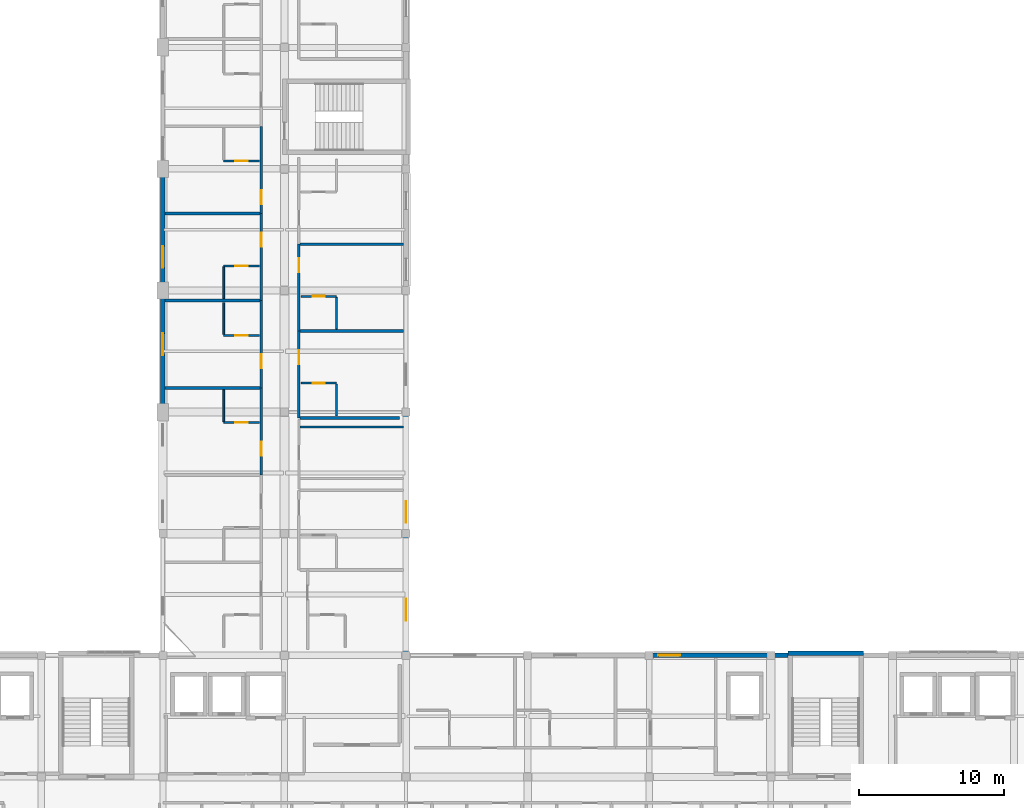
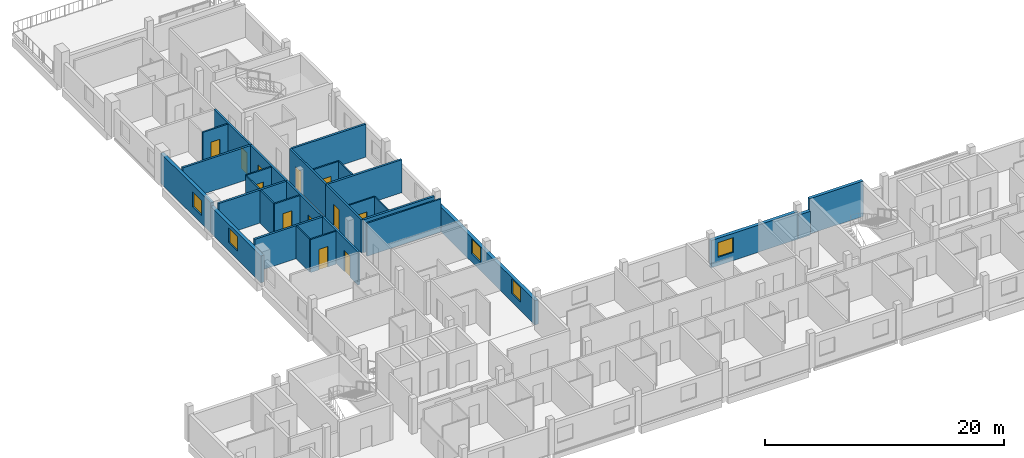
# One storey, part 16 of 26: 30 walls, 12 doors, 5 windows, 17 openings.
"""IFC4 building model written with IfcOpenShell, lengths in metres."""

from ifc_helpers import new_model, si_unit, derived_unit, direction, frame, frame_2d, origin, place, context, subcontext, project, spatial, rectangle, extrude, material, layer, layer_set, type_object, element, fill, save


model = new_model("IFC4")

# Units and contexts
model_context = context("Model", 3, precision=1e-05, world=origin(), true_north=direction((0.0, 1.0)))
body_context = subcontext(model_context, "Body", "Model", "MODEL_VIEW")
ifc_project = project(units=[si_unit("LENGTHUNIT", "METRE"), si_unit("AREAUNIT", "SQUARE_METRE"), si_unit("VOLUMEUNIT", "CUBIC_METRE"), si_unit("PLANEANGLEUNIT", "RADIAN"), si_unit("MASSUNIT", "GRAM", prefix="KILO"), derived_unit("THERMALTRANSMITTANCEUNIT", [(si_unit("POWERUNIT", "WATT"), 1), (si_unit("LENGTHUNIT", "METRE"), -2), (si_unit("THERMODYNAMICTEMPERATUREUNIT", "KELVIN"), -1)])], contexts=[model_context])

# Site, building, storey
site_placement = place(None, origin())
site = spatial("IfcSite", under=ifc_project, at=site_placement, CompositionType="ELEMENT")
building_placement = place(site_placement, origin())
building = spatial("IfcBuilding", under=site, at=building_placement, Name="Barrovel Congress Hotel", CompositionType="ELEMENT")
storey_placement = place(building_placement, frame((0.0, 0.0, 32.699951171875)))
storey = spatial("IfcBuildingStorey", under=building, at=storey_placement, Name="L08", CompositionType="ELEMENT", Elevation=32.699951171875)

# Wall, openings, windows
ifc_material_1 = material(Name="Fired Clay Brick Masonry", Category="masonry")
ifc_layer_1 = layer(ifc_material_1, 0.320068359375)
ifc_layer_set_1 = layer_set([ifc_layer_1], Name="Fired Clay Brick Masonry")
wall_type_1 = type_object("IfcWallType", Name="EW-BRK320", PredefinedType="STANDARD", material=ifc_layer_set_1)
wall_1_placement = place(storey_placement, frame((50.39990234375, 21.0, 0.0), z_axis=(0.0, 0.0, 1.0), x_axis=(0.0, 1.0, 0.0)))
wall_1 = element("IfcWall", 1, at=wall_1_placement, inside=storey, type_object=wall_type_1, Name="EW:L08:HW-E-1", PredefinedType="STANDARD", context=body_context, shape_type="SweptSolid", body=[
    extrude(rectangle(XDim=16.800048828125, YDim=0.320068359375, at=frame_2d((8.39990234375, 0.0))), origin(), (0.0, 0.0, 1.0), 2.47998046875),
])
opening_1_placement = place(wall_1_placement, frame((2.39990234375, 0.0, 0.85009765625)))
opening_1 = element("IfcOpeningElement", 2, at=opening_1_placement, cuts=wall_1, Name="Opening WN-07", PredefinedType="OPENING", context=body_context, shape_type="SweptSolid", body=[
    extrude(rectangle(XDim=1.5, YDim=1.5, at=frame_2d((0.75, 0.75))), frame((0.0, 0.169921875, 0.0), z_axis=(0.0, -1.0, 0.0), x_axis=(1.0, 0.0, 0.0)), (0.0, 0.0, 1.0), 0.340087890625),
])
opening_2_placement = place(wall_1_placement, frame((9.14990234375, 0.0, 0.85009765625)))
opening_2 = element("IfcOpeningElement", 3, at=opening_2_placement, cuts=wall_1, Name="Opening WN-07", PredefinedType="OPENING", context=body_context, shape_type="SweptSolid", body=[
    extrude(rectangle(XDim=1.5, YDim=1.5, at=frame_2d((0.75, 0.75))), frame((0.0, 0.169921875, 0.0), z_axis=(0.0, -1.0, 0.0), x_axis=(1.0, 0.0, 0.0)), (0.0, 0.0, 1.0), 0.340087890625),
])
ifc_material_2 = material(Name="Double Low-E Insulated Glazing", Category="glass")
window_type = type_object("IfcWindowType", Name="WIN-WN-07", PartitioningType="SINGLE_PANEL", PredefinedType="WINDOW", material=ifc_material_2)
window_1_placement = place(opening_1_placement, origin())
window_1 = element("IfcWindow", 4, at=window_1_placement, inside=storey, type_object=window_type, Name="WIN:L08:U33", OverallHeight=1.5, OverallWidth=1.5, PartitioningType="SINGLE_PANEL", PredefinedType="WINDOW", context=body_context, shape_type="SweptSolid", body=[
    extrude(rectangle(XDim=1.5, YDim=1.5, at=frame_2d((0.75, 0.75))), frame((0.0, 0.030029296875, 0.0), z_axis=(0.0, -1.0, 0.0), x_axis=(1.0, 0.0, 0.0)), (0.0, 0.0, 1.0), 0.06005859375),
])
fill(opening_1, window_1)
window_2_placement = place(opening_2_placement, origin())
window_2 = element("IfcWindow", 5, at=window_2_placement, inside=storey, type_object=window_type, Name="WIN:L08:U34", OverallHeight=1.5, OverallWidth=1.5, PartitioningType="SINGLE_PANEL", PredefinedType="WINDOW", context=body_context, shape_type="SweptSolid", body=[
    extrude(rectangle(XDim=1.5, YDim=1.5, at=frame_2d((0.75, 0.75))), frame((0.0, 0.030029296875, 0.0), z_axis=(0.0, -1.0, 0.0), x_axis=(1.0, 0.0, 0.0)), (0.0, 0.0, 1.0), 0.06005859375),
])
fill(opening_2, window_2)

# Wall
wall_2_placement = place(storey_placement, frame((76.800048828125, 21.0, 0.0), z_axis=(0.0, 0.0, 1.0), x_axis=(-1.0, 0.0, 0.0)))
element("IfcWall", 6, at=wall_2_placement, inside=storey, type_object=wall_type_1, Name="EW:L08:HS-NE-3:P01", PredefinedType="STANDARD", context=body_context, shape_type="SweptSolid", body=[
    extrude(rectangle(XDim=1.199951171875, YDim=0.320068359375, at=frame_2d((0.60009765625, 0.0))), origin(), (0.0, 0.0, 1.0), 2.429931640625),
])

# Wall, opening, window
wall_3_placement = place(storey_placement, frame((75.60009765625, 21.0, 0.0), z_axis=(0.0, 0.0, 1.0), x_axis=(-1.0, 0.0, 0.0)))
wall_3 = element("IfcWall", 7, at=wall_3_placement, inside=storey, type_object=wall_type_1, Name="EW:L08:HS-NE-3:P02", PredefinedType="STANDARD", context=body_context, shape_type="SweptSolid", body=[
    extrude(rectangle(XDim=8.400146484375, YDim=0.320068359375, at=frame_2d((4.2001953125, 0.0))), origin(), (0.0, 0.0, 1.0), 2.780029296875),
])
opening_3_placement = place(wall_3_placement, frame((6.2666015625, 0.0, 0.85009765625)))
opening_3 = element("IfcOpeningElement", 8, at=opening_3_placement, cuts=wall_3, Name="Opening WN-07", PredefinedType="OPENING", context=body_context, shape_type="SweptSolid", body=[
    extrude(rectangle(XDim=1.5, YDim=1.5, at=frame_2d((0.75, 0.75))), frame((0.0, 0.169921875, 0.0), z_axis=(0.0, -1.0, 0.0), x_axis=(1.0, 0.0, 0.0)), (0.0, 0.0, 1.0), 0.340087890625),
])
window_3_placement = place(opening_3_placement, origin())
window_3 = element("IfcWindow", 9, at=window_3_placement, inside=storey, type_object=window_type, Name="WIN:L08:U19", OverallHeight=1.5, OverallWidth=1.5, PartitioningType="SINGLE_PANEL", PredefinedType="WINDOW", context=body_context, shape_type="SweptSolid", body=[
    extrude(rectangle(XDim=1.5, YDim=1.5, at=frame_2d((0.75, 0.75))), frame((0.0, 0.030029296875, 0.0), z_axis=(0.0, -1.0, 0.0), x_axis=(1.0, 0.0, 0.0)), (0.0, 0.0, 1.0), 0.06005859375),
])
fill(opening_3, window_3)

wall_4_placement = place(storey_placement, frame((33.60009765625, 54.60009765625, 0.0), z_axis=(0.0, 0.0, 1.0), x_axis=(0.0, -1.0, 0.0)))
wall_4 = element("IfcWall", 10, at=wall_4_placement, inside=storey, type_object=wall_type_1, Name="EW:L08:HW-W:P03", PredefinedType="STANDARD", context=body_context, shape_type="SweptSolid", body=[
    extrude(rectangle(XDim=8.400146484375, YDim=0.320068359375, at=frame_2d((4.2001953125, 0.0))), origin(), (0.0, 0.0, 1.0), 3.0751953125),
])
opening_4_placement = place(wall_4_placement, frame((5.33740234375, 0.0, 0.85009765625)))
opening_4 = element("IfcOpeningElement", 11, at=opening_4_placement, cuts=wall_4, Name="Opening WN-07", PredefinedType="OPENING", context=body_context, shape_type="SweptSolid", body=[
    extrude(rectangle(XDim=1.5, YDim=1.5, at=frame_2d((0.75, 0.75))), frame((0.0, 0.169921875, 0.0), z_axis=(0.0, -1.0, 0.0), x_axis=(1.0, 0.0, 0.0)), (0.0, 0.0, 1.0), 0.340087890625),
])
window_4_placement = place(opening_4_placement, origin())
window_4 = element("IfcWindow", 12, at=window_4_placement, inside=storey, type_object=window_type, Name="WIN:L08:U29", OverallHeight=1.5, OverallWidth=1.5, PartitioningType="SINGLE_PANEL", PredefinedType="WINDOW", context=body_context, shape_type="SweptSolid", body=[
    extrude(rectangle(XDim=1.5, YDim=1.5, at=frame_2d((0.75, 0.75))), frame((0.0, 0.030029296875, 0.0), z_axis=(0.0, -1.0, 0.0), x_axis=(1.0, 0.0, 0.0)), (0.0, 0.0, 1.0), 0.06005859375),
])
fill(opening_4, window_4)

wall_5_placement = place(storey_placement, frame((33.60009765625, 46.199951171875, 0.0), z_axis=(0.0, 0.0, 1.0), x_axis=(0.0, -1.0, 0.0)))
wall_5 = element("IfcWall", 13, at=wall_5_placement, inside=storey, type_object=wall_type_1, Name="EW:L08:HW-W:P04", PredefinedType="STANDARD", context=body_context, shape_type="SweptSolid", body=[
    extrude(rectangle(XDim=8.39990234375, YDim=0.320068359375, at=frame_2d((4.199951171875, 0.0))), origin(), (0.0, 0.0, 1.0), 2.72998046875),
])
opening_5_placement = place(wall_5_placement, frame((2.96240234375, 0.0, 0.85009765625)))
opening_5 = element("IfcOpeningElement", 14, at=opening_5_placement, cuts=wall_5, Name="Opening WN-07", PredefinedType="OPENING", context=body_context, shape_type="SweptSolid", body=[
    extrude(rectangle(XDim=1.5, YDim=1.5, at=frame_2d((0.75, 0.75))), frame((0.0, 0.169921875, 0.0), z_axis=(0.0, -1.0, 0.0), x_axis=(1.0, 0.0, 0.0)), (0.0, 0.0, 1.0), 0.340087890625),
])
window_5_placement = place(opening_5_placement, origin())
window_5 = element("IfcWindow", 15, at=window_5_placement, inside=storey, type_object=window_type, Name="WIN:L08:U28", OverallHeight=1.5, OverallWidth=1.5, PartitioningType="SINGLE_PANEL", PredefinedType="WINDOW", context=body_context, shape_type="SweptSolid", body=[
    extrude(rectangle(XDim=1.5, YDim=1.5, at=frame_2d((0.75, 0.75))), frame((0.0, 0.030029296875, 0.0), z_axis=(0.0, -1.0, 0.0), x_axis=(1.0, 0.0, 0.0)), (0.0, 0.0, 1.0), 0.06005859375),
])
fill(opening_5, window_5)

# Wall, opening, door
ifc_material_3 = material(Name="Gypsum Acoustic Stud", Category="gypsum")
ifc_layer_2 = layer(ifc_material_3, 0.179931640625)
ifc_layer_set_2 = layer_set([ifc_layer_2], Name="Gypsum Acoustic Stud")
wall_type_2 = type_object("IfcWallType", Name="PW-ACU-180", PredefinedType="PARTITIONING", material=ifc_layer_set_2)
wall_6_placement = place(storey_placement, frame((40.39990234375, 33.449951171875, 0.0), z_axis=(0.0, 0.0, 1.0), x_axis=(0.0, 1.0, 0.0)))
wall_6 = element("IfcWall", 16, at=wall_6_placement, inside=storey, type_object=wall_type_2, Name="PW:L08:U27:COR", PredefinedType="PARTITIONING", context=body_context, shape_type="SweptSolid", body=[
    extrude(rectangle(XDim=6.025146484375, YDim=0.179931640625, at=frame_2d((3.0126953125, 0.0))), origin(), (0.0, 0.0, 1.0), 3.375),
])
opening_6_placement = place(wall_6_placement, frame((1.347412109375, 0.0, 0.0)))
opening_6 = element("IfcOpeningElement", 17, at=opening_6_placement, cuts=wall_6, Name="Opening ID-HTL", PredefinedType="OPENING", context=body_context, shape_type="SweptSolid", body=[
    extrude(rectangle(XDim=0.9599609375, YDim=2.14990234375, at=frame_2d((0.47998046875, 1.074951171875))), frame((0.0, 0.10009765625, 0.0), z_axis=(0.0, -1.0, 0.0), x_axis=(1.0, 0.0, 0.0)), (0.0, 0.0, 1.0), 0.199951171875),
])
ifc_material_4 = material(Name="Solid Oak Acoustic Timber Door", Category="wood")
door_type_1 = type_object("IfcDoorType", Name="IDR-ID-HTL", OperationType="NOTDEFINED", PredefinedType="DOOR", material=ifc_material_4)
door_1_placement = place(opening_6_placement, origin())
door_1 = element("IfcDoor", 18, at=door_1_placement, inside=storey, type_object=door_type_1, Name="DR:L08:U27:ENT", OperationType="SINGLE_SWING_RIGHT", OverallHeight=2.14990234375, OverallWidth=0.9599609375, PredefinedType="DOOR", context=body_context, shape_type="SweptSolid", body=[
    extrude(rectangle(XDim=0.9599609375, YDim=2.14990234375, at=frame_2d((0.47998046875, 1.074951171875))), frame((0.0, 0.02490234375, 0.0), z_axis=(0.0, -1.0, 0.0), x_axis=(1.0, 0.0, 0.0)), (0.0, 0.0, 1.0), 0.050048828125),
])
fill(opening_6, door_1)

wall_7_placement = place(storey_placement, frame((40.39990234375, 39.47509765625, 0.0), z_axis=(0.0, 0.0, 1.0), x_axis=(0.0, 1.0, 0.0)))
wall_7 = element("IfcWall", 19, at=wall_7_placement, inside=storey, type_object=wall_type_2, Name="PW:L08:U28:COR", PredefinedType="PARTITIONING", context=body_context, shape_type="SweptSolid", body=[
    extrude(rectangle(XDim=6.02490234375, YDim=0.179931640625, at=frame_2d((3.012451171875, 0.0))), origin(), (0.0, 0.0, 1.0), 3.375),
])
opening_7_placement = place(wall_7_placement, frame((1.347412109375, 0.0, 0.0)))
opening_7 = element("IfcOpeningElement", 20, at=opening_7_placement, cuts=wall_7, Name="Opening ID-HTL", PredefinedType="OPENING", context=body_context, shape_type="SweptSolid", body=[
    extrude(rectangle(XDim=0.9599609375, YDim=2.14990234375, at=frame_2d((0.47998046875, 1.074951171875))), frame((0.0, 0.10009765625, 0.0), z_axis=(0.0, -1.0, 0.0), x_axis=(1.0, 0.0, 0.0)), (0.0, 0.0, 1.0), 0.199951171875),
])
door_2_placement = place(opening_7_placement, origin())
door_2 = element("IfcDoor", 21, at=door_2_placement, inside=storey, type_object=door_type_1, Name="DR:L08:U28:ENT", OperationType="SINGLE_SWING_RIGHT", OverallHeight=2.14990234375, OverallWidth=0.9599609375, PredefinedType="DOOR", context=body_context, shape_type="SweptSolid", body=[
    extrude(rectangle(XDim=0.9599609375, YDim=2.14990234375, at=frame_2d((0.47998046875, 1.074951171875))), frame((0.0, 0.02490234375, 0.0), z_axis=(0.0, -1.0, 0.0), x_axis=(1.0, 0.0, 0.0)), (0.0, 0.0, 1.0), 0.050048828125),
])
fill(opening_7, door_2)

wall_8_placement = place(storey_placement, frame((40.39990234375, 45.5, 0.0), z_axis=(0.0, 0.0, 1.0), x_axis=(0.0, 1.0, 0.0)))
wall_8 = element("IfcWall", 22, at=wall_8_placement, inside=storey, type_object=wall_type_2, Name="PW:L08:U29:COR", PredefinedType="PARTITIONING", context=body_context, shape_type="SweptSolid", body=[
    extrude(rectangle(XDim=6.02490234375, YDim=0.179931640625, at=frame_2d((3.012451171875, 0.0))), origin(), (0.0, 0.0, 1.0), 3.375),
])
opening_8_placement = place(wall_8_placement, frame((3.717529296875, 0.0, 0.0)))
opening_8 = element("IfcOpeningElement", 23, at=opening_8_placement, cuts=wall_8, Name="Opening ID-HTL", PredefinedType="OPENING", context=body_context, shape_type="SweptSolid", body=[
    extrude(rectangle(XDim=0.9599609375, YDim=2.14990234375, at=frame_2d((0.47998046875, 1.074951171875))), frame((0.0, 0.10009765625, 0.0), z_axis=(0.0, -1.0, 0.0), x_axis=(1.0, 0.0, 0.0)), (0.0, 0.0, 1.0), 0.199951171875),
])
door_3_placement = place(opening_8_placement, origin())
door_3 = element("IfcDoor", 24, at=door_3_placement, inside=storey, type_object=door_type_1, Name="DR:L08:U29:ENT", OperationType="SINGLE_SWING_RIGHT", OverallHeight=2.14990234375, OverallWidth=0.9599609375, PredefinedType="DOOR", context=body_context, shape_type="SweptSolid", body=[
    extrude(rectangle(XDim=0.9599609375, YDim=2.14990234375, at=frame_2d((0.47998046875, 1.074951171875))), frame((0.0, 0.02490234375, 0.0), z_axis=(0.0, -1.0, 0.0), x_axis=(1.0, 0.0, 0.0)), (0.0, 0.0, 1.0), 0.050048828125),
])
fill(opening_8, door_3)

wall_9_placement = place(storey_placement, frame((40.39990234375, 51.52490234375, 0.0), z_axis=(0.0, 0.0, 1.0), x_axis=(0.0, 1.0, 0.0)))
wall_9 = element("IfcWall", 25, at=wall_9_placement, inside=storey, type_object=wall_type_2, Name="PW:L08:U30:COR", PredefinedType="PARTITIONING", context=body_context, shape_type="SweptSolid", body=[
    extrude(rectangle(XDim=6.025146484375, YDim=0.179931640625, at=frame_2d((3.0126953125, 0.0))), origin(), (0.0, 0.0, 1.0), 3.375),
])
opening_9_placement = place(wall_9_placement, frame((0.6474609375, 0.0, 0.0)))
opening_9 = element("IfcOpeningElement", 26, at=opening_9_placement, cuts=wall_9, Name="Opening ID-HTL", PredefinedType="OPENING", context=body_context, shape_type="SweptSolid", body=[
    extrude(rectangle(XDim=0.9599609375, YDim=2.14990234375, at=frame_2d((0.47998046875, 1.074951171875))), frame((0.0, 0.10009765625, 0.0), z_axis=(0.0, -1.0, 0.0), x_axis=(1.0, 0.0, 0.0)), (0.0, 0.0, 1.0), 0.199951171875),
])
door_4_placement = place(opening_9_placement, origin())
door_4 = element("IfcDoor", 27, at=door_4_placement, inside=storey, type_object=door_type_1, Name="DR:L08:U30:ENT", OperationType="SINGLE_SWING_RIGHT", OverallHeight=2.14990234375, OverallWidth=0.9599609375, PredefinedType="DOOR", context=body_context, shape_type="SweptSolid", body=[
    extrude(rectangle(XDim=0.9599609375, YDim=2.14990234375, at=frame_2d((0.47998046875, 1.074951171875))), frame((0.0, 0.02490234375, 0.0), z_axis=(0.0, -1.0, 0.0), x_axis=(1.0, 0.0, 0.0)), (0.0, 0.0, 1.0), 0.050048828125),
])
fill(opening_9, door_4)

wall_10_placement = place(storey_placement, frame((43.0, 37.39990234375, 0.0), z_axis=(0.0, 0.0, 1.0), x_axis=(0.0, 1.0, 0.0)))
wall_10 = element("IfcWall", 28, at=wall_10_placement, inside=storey, type_object=wall_type_2, Name="PW:L08:U35:COR", PredefinedType="PARTITIONING", context=body_context, shape_type="SweptSolid", body=[
    extrude(rectangle(XDim=6.0, YDim=0.179931640625, at=frame_2d((3.0, 0.0))), origin(), (0.0, 0.0, 1.0), 3.375),
])
opening_10_placement = place(wall_10_placement, frame((3.705078125, 0.0, 0.0)))
opening_10 = element("IfcOpeningElement", 29, at=opening_10_placement, cuts=wall_10, Name="Opening ID-HTL", PredefinedType="OPENING", context=body_context, shape_type="SweptSolid", body=[
    extrude(rectangle(XDim=0.9599609375, YDim=2.14990234375, at=frame_2d((0.47998046875, 1.074951171875))), frame((0.0, 0.10009765625, 0.0), z_axis=(0.0, -1.0, 0.0), x_axis=(1.0, 0.0, 0.0)), (0.0, 0.0, 1.0), 0.199951171875),
])
door_5_placement = place(opening_10_placement, origin())
door_5 = element("IfcDoor", 30, at=door_5_placement, inside=storey, type_object=door_type_1, Name="DR:L08:U35:ENT", OperationType="SINGLE_SWING_RIGHT", OverallHeight=2.14990234375, OverallWidth=0.9599609375, PredefinedType="DOOR", context=body_context, shape_type="SweptSolid", body=[
    extrude(rectangle(XDim=0.9599609375, YDim=2.14990234375, at=frame_2d((0.47998046875, 1.074951171875))), frame((0.0, 0.02490234375, 0.0), z_axis=(0.0, -1.0, 0.0), x_axis=(1.0, 0.0, 0.0)), (0.0, 0.0, 1.0), 0.050048828125),
])
fill(opening_10, door_5)

wall_11_placement = place(storey_placement, frame((43.0, 43.39990234375, 0.0), z_axis=(0.0, 0.0, 1.0), x_axis=(0.0, 1.0, 0.0)))
wall_11 = element("IfcWall", 31, at=wall_11_placement, inside=storey, type_object=wall_type_2, Name="PW:L08:U36:COR", PredefinedType="PARTITIONING", context=body_context, shape_type="SweptSolid", body=[
    extrude(rectangle(XDim=6.0, YDim=0.179931640625, at=frame_2d((3.0, 0.0))), origin(), (0.0, 0.0, 1.0), 3.375),
])
opening_11_placement = place(wall_11_placement, frame((4.054931640625, 0.0, 0.0)))
opening_11 = element("IfcOpeningElement", 32, at=opening_11_placement, cuts=wall_11, Name="Opening ID-HTL", PredefinedType="OPENING", context=body_context, shape_type="SweptSolid", body=[
    extrude(rectangle(XDim=0.9599609375, YDim=2.14990234375, at=frame_2d((0.47998046875, 1.074951171875))), frame((0.0, 0.10009765625, 0.0), z_axis=(0.0, -1.0, 0.0), x_axis=(1.0, 0.0, 0.0)), (0.0, 0.0, 1.0), 0.199951171875),
])
door_6_placement = place(opening_11_placement, origin())
door_6 = element("IfcDoor", 33, at=door_6_placement, inside=storey, type_object=door_type_1, Name="DR:L08:U36:ENT", OperationType="SINGLE_SWING_RIGHT", OverallHeight=2.14990234375, OverallWidth=0.9599609375, PredefinedType="DOOR", context=body_context, shape_type="SweptSolid", body=[
    extrude(rectangle(XDim=0.9599609375, YDim=2.14990234375, at=frame_2d((0.47998046875, 1.074951171875))), frame((0.0, 0.02490234375, 0.0), z_axis=(0.0, -1.0, 0.0), x_axis=(1.0, 0.0, 0.0)), (0.0, 0.0, 1.0), 0.050048828125),
])
fill(opening_11, door_6)

# Walls
ifc_layer_3 = layer(ifc_material_3, 0.1201171875)
ifc_layer_set_3 = layer_set([ifc_layer_3], Name="Gypsum Acoustic Stud")
wall_type_3 = type_object("IfcWallType", Name="PW-INT-120", PredefinedType="PARTITIONING", material=ifc_layer_set_3)
wall_12_placement = place(storey_placement, frame((37.800048828125, 37.14501953125, 0.0), z_axis=(0.0, 0.0, 1.0), x_axis=(0.0, 1.0, 0.0)))
element("IfcWall", 34, at=wall_12_placement, inside=storey, type_object=wall_type_3, Name="PW:L08:U27:B2", PredefinedType="PARTITIONING", context=body_context, shape_type="SweptSolid", body=[
    extrude(rectangle(XDim=2.18994140625, YDim=0.1201171875, at=frame_2d((1.094970703125, 0.0))), origin(), (0.0, 0.0, 1.0), 3.375),
])
for number, where, z_axis, x_axis, name in (
    (35, (37.800048828125, 43.169921875, 0.0), (0.0, 0.0, 1.0), (0.0, 1.0, 0.0), "PW:L08:U28:B2"),
    (36, (37.800048828125, 45.639892578125, 0.0), (0.0, 0.0, 1.0), (0.0, 1.0, 0.0), "PW:L08:U29:B2"),
):
    element("IfcWall", number, at=place(storey_placement, frame(where, z_axis=z_axis, x_axis=x_axis)), inside=storey, type_object=wall_type_3, Name=name, PredefinedType="PARTITIONING", context=body_context, shape_type="SweptSolid", body=[
        extrude(rectangle(XDim=2.190185546875, YDim=0.1201171875, at=frame_2d((1.09521484375, 0.0))), origin(), (0.0, 0.0, 1.0), 3.375),
    ])
for number, where, z_axis, x_axis, name in (
    (37, (45.60009765625, 37.5400390625, 0.0), (0.0, 0.0, 1.0), (0.0, 1.0, 0.0), "PW:L08:U35:B2"),
    (38, (45.60009765625, 43.5400390625, 0.0), (0.0, 0.0, 1.0), (0.0, 1.0, 0.0), "PW:L08:U36:B2"),
):
    element("IfcWall", number, at=place(storey_placement, frame(where, z_axis=z_axis, x_axis=x_axis)), inside=storey, type_object=wall_type_3, Name=name, PredefinedType="PARTITIONING", context=body_context, shape_type="SweptSolid", body=[
        extrude(rectangle(XDim=2.18994140625, YDim=0.1201171875, at=frame_2d((1.094970703125, 0.0))), origin(), (0.0, 0.0, 1.0), 3.375),
    ])
ifc_layer_4 = layer(ifc_material_1, 0.199951171875)
ifc_layer_set_4 = layer_set([ifc_layer_4], Name="Fired Clay Brick Masonry")
wall_type_4 = type_object("IfcWallType", Name="PW-MAS-200", PredefinedType="PARTITIONING", material=ifc_layer_set_4)
for number, where, z_axis, x_axis, name in (
    (39, (33.760009765625, 39.47509765625, 0.0), (0.0, 0.0, 1.0), (1.0, 0.0, 0.0), "PW:L08:U27:DEM"),
    (40, (33.760009765625, 45.5, 0.0), (0.0, 0.0, 1.0), (1.0, 0.0, 0.0), "PW:L08:U28:DEM"),
    (41, (33.760009765625, 51.52490234375, 0.0), (0.0, 0.0, 1.0), (1.0, 0.0, 0.0), "PW:L08:U29:DEM"),
):
    element("IfcWall", number, at=place(storey_placement, frame(where, z_axis=z_axis, x_axis=x_axis)), inside=storey, type_object=wall_type_4, Name=name, PredefinedType="PARTITIONING", context=body_context, shape_type="SweptSolid", body=[
        extrude(rectangle(XDim=6.550048828125, YDim=0.199951171875, at=frame_2d((3.27490234375, 0.0))), origin(), (0.0, 0.0, 1.0), 3.375),
    ])
wall_13_placement = place(storey_placement, frame((43.090087890625, 37.39990234375, 0.0), z_axis=(0.0, 0.0, 1.0), x_axis=(1.0, 0.0, 0.0)))
element("IfcWall", 42, at=wall_13_placement, inside=storey, type_object=wall_type_4, Name="PW:L08:U35:DEM0", PredefinedType="PARTITIONING", context=body_context, shape_type="SweptSolid", body=[
    extrude(rectangle(XDim=6.85986328125, YDim=0.199951171875, at=frame_2d((3.429931640625, 0.0))), origin(), (0.0, 0.0, 1.0), 3.375),
])
for number, where, z_axis, x_axis, name in (
    (43, (43.090087890625, 43.39990234375, 0.0), (0.0, 0.0, 1.0), (1.0, 0.0, 0.0), "PW:L08:U35:DEM"),
    (44, (43.090087890625, 49.39990234375, 0.0), (0.0, 0.0, 1.0), (1.0, 0.0, 0.0), "PW:L08:U36:DEM"),
):
    element("IfcWall", number, at=place(storey_placement, frame(where, z_axis=z_axis, x_axis=x_axis)), inside=storey, type_object=wall_type_4, Name=name, PredefinedType="PARTITIONING", context=body_context, shape_type="SweptSolid", body=[
        extrude(rectangle(XDim=7.14990234375, YDim=0.199951171875, at=frame_2d((3.574951171875, 0.0))), origin(), (0.0, 0.0, 1.0), 3.375),
    ])

# Wall, opening, door
ifc_material_5 = material(Name="Gypsum Moisture Board", Category="gypsum")
ifc_layer_5 = layer(ifc_material_5, 0.139892578125)
ifc_layer_set_5 = layer_set([ifc_layer_5], Name="Gypsum Moisture Board")
wall_type_5 = type_object("IfcWallType", Name="PW-WET-140", PredefinedType="PARTITIONING", material=ifc_layer_set_5)
wall_14_placement = place(storey_placement, frame((37.800048828125, 37.074951171875, 0.0), z_axis=(0.0, 0.0, 1.0), x_axis=(1.0, 0.0, 0.0)))
wall_14 = element("IfcWall", 45, at=wall_14_placement, inside=storey, type_object=wall_type_5, Name="PW:L08:U27:B1", PredefinedType="PARTITIONING", context=body_context, shape_type="SweptSolid", body=[
    extrude(rectangle(XDim=2.4599609375, YDim=0.139892578125, at=frame_2d((1.22998046875, 0.0))), origin(), (0.0, 0.0, 1.0), 3.375),
])
opening_12_placement = place(wall_14_placement, frame((0.800048828125, 0.0, 0.0)))
opening_12 = element("IfcOpeningElement", 46, at=opening_12_placement, cuts=wall_14, Name="Opening ID-ENS", PredefinedType="OPENING", context=body_context, shape_type="SweptSolid", body=[
    extrude(rectangle(XDim=0.860107421875, YDim=2.10009765625, at=frame_2d((0.43017578125, 1.050048828125))), frame((0.0, 0.080078125, 0.0), z_axis=(0.0, -1.0, 0.0), x_axis=(1.0, 0.0, 0.0)), (0.0, 0.0, 1.0), 0.159912109375),
])
ifc_material_6 = material(Name="Lacquered Timber Moisture Door", Category="wood")
door_type_2 = type_object("IfcDoorType", Name="IDR-ID-ENS", OperationType="NOTDEFINED", PredefinedType="DOOR", material=ifc_material_6)
door_7_placement = place(opening_12_placement, origin())
door_7 = element("IfcDoor", 47, at=door_7_placement, inside=storey, type_object=door_type_2, Name="DR:L08:U27:ENS", OperationType="SINGLE_SWING_LEFT", OverallHeight=2.10009765625, OverallWidth=0.860107421875, PredefinedType="DOOR", context=body_context, shape_type="SweptSolid", body=[
    extrude(rectangle(XDim=0.860107421875, YDim=2.10009765625, at=frame_2d((0.43017578125, 1.050048828125))), frame((0.0, 0.02490234375, 0.0), z_axis=(0.0, -1.0, 0.0), x_axis=(1.0, 0.0, 0.0)), (0.0, 0.0, 1.0), 0.050048828125),
])
fill(opening_12, door_7)

wall_15_placement = place(storey_placement, frame((37.800048828125, 43.10009765625, 0.0), z_axis=(0.0, 0.0, 1.0), x_axis=(1.0, 0.0, 0.0)))
wall_15 = element("IfcWall", 48, at=wall_15_placement, inside=storey, type_object=wall_type_5, Name="PW:L08:U28:B1", PredefinedType="PARTITIONING", context=body_context, shape_type="SweptSolid", body=[
    extrude(rectangle(XDim=2.4599609375, YDim=0.139892578125, at=frame_2d((1.22998046875, 0.0))), origin(), (0.0, 0.0, 1.0), 3.375),
])
opening_13_placement = place(wall_15_placement, frame((0.800048828125, 0.0, 0.0)))
opening_13 = element("IfcOpeningElement", 49, at=opening_13_placement, cuts=wall_15, Name="Opening ID-ENS", PredefinedType="OPENING", context=body_context, shape_type="SweptSolid", body=[
    extrude(rectangle(XDim=0.860107421875, YDim=2.10009765625, at=frame_2d((0.43017578125, 1.050048828125))), frame((0.0, 0.080078125, 0.0), z_axis=(0.0, -1.0, 0.0), x_axis=(1.0, 0.0, 0.0)), (0.0, 0.0, 1.0), 0.159912109375),
])
door_8_placement = place(opening_13_placement, origin())
door_8 = element("IfcDoor", 50, at=door_8_placement, inside=storey, type_object=door_type_2, Name="DR:L08:U28:ENS", OperationType="SINGLE_SWING_LEFT", OverallHeight=2.10009765625, OverallWidth=0.860107421875, PredefinedType="DOOR", context=body_context, shape_type="SweptSolid", body=[
    extrude(rectangle(XDim=0.860107421875, YDim=2.10009765625, at=frame_2d((0.43017578125, 1.050048828125))), frame((0.0, 0.02490234375, 0.0), z_axis=(0.0, -1.0, 0.0), x_axis=(1.0, 0.0, 0.0)), (0.0, 0.0, 1.0), 0.050048828125),
])
fill(opening_13, door_8)

wall_16_placement = place(storey_placement, frame((37.800048828125, 47.89990234375, 0.0), z_axis=(0.0, 0.0, 1.0), x_axis=(1.0, 0.0, 0.0)))
wall_16 = element("IfcWall", 51, at=wall_16_placement, inside=storey, type_object=wall_type_5, Name="PW:L08:U29:B1", PredefinedType="PARTITIONING", context=body_context, shape_type="SweptSolid", body=[
    extrude(rectangle(XDim=2.4599609375, YDim=0.139892578125, at=frame_2d((1.22998046875, 0.0))), origin(), (0.0, 0.0, 1.0), 3.375),
])
opening_14_placement = place(wall_16_placement, frame((0.800048828125, 0.0, 0.0)))
opening_14 = element("IfcOpeningElement", 52, at=opening_14_placement, cuts=wall_16, Name="Opening ID-ENS", PredefinedType="OPENING", context=body_context, shape_type="SweptSolid", body=[
    extrude(rectangle(XDim=0.860107421875, YDim=2.10009765625, at=frame_2d((0.43017578125, 1.050048828125))), frame((0.0, 0.080078125, 0.0), z_axis=(0.0, -1.0, 0.0), x_axis=(1.0, 0.0, 0.0)), (0.0, 0.0, 1.0), 0.159912109375),
])
door_9_placement = place(opening_14_placement, origin())
door_9 = element("IfcDoor", 53, at=door_9_placement, inside=storey, type_object=door_type_2, Name="DR:L08:U29:ENS", OperationType="SINGLE_SWING_LEFT", OverallHeight=2.10009765625, OverallWidth=0.860107421875, PredefinedType="DOOR", context=body_context, shape_type="SweptSolid", body=[
    extrude(rectangle(XDim=0.860107421875, YDim=2.10009765625, at=frame_2d((0.43017578125, 1.050048828125))), frame((0.0, 0.02490234375, 0.0), z_axis=(0.0, -1.0, 0.0), x_axis=(1.0, 0.0, 0.0)), (0.0, 0.0, 1.0), 0.050048828125),
])
fill(opening_14, door_9)

wall_17_placement = place(storey_placement, frame((37.800048828125, 55.14990234375, 0.0), z_axis=(0.0, 0.0, 1.0), x_axis=(1.0, 0.0, 0.0)))
wall_17 = element("IfcWall", 54, at=wall_17_placement, inside=storey, type_object=wall_type_5, Name="PW:L08:U30:B1", PredefinedType="PARTITIONING", context=body_context, shape_type="SweptSolid", body=[
    extrude(rectangle(XDim=2.4599609375, YDim=0.139892578125, at=frame_2d((1.22998046875, 0.0))), origin(), (0.0, 0.0, 1.0), 3.375),
])
opening_15_placement = place(wall_17_placement, frame((0.800048828125, 0.0, 0.0)))
opening_15 = element("IfcOpeningElement", 55, at=opening_15_placement, cuts=wall_17, Name="Opening ID-ENS", PredefinedType="OPENING", context=body_context, shape_type="SweptSolid", body=[
    extrude(rectangle(XDim=0.860107421875, YDim=2.10009765625, at=frame_2d((0.43017578125, 1.050048828125))), frame((0.0, 0.080078125, 0.0), z_axis=(0.0, -1.0, 0.0), x_axis=(1.0, 0.0, 0.0)), (0.0, 0.0, 1.0), 0.159912109375),
])
door_10_placement = place(opening_15_placement, origin())
door_10 = element("IfcDoor", 56, at=door_10_placement, inside=storey, type_object=door_type_2, Name="DR:L08:U30:ENS", OperationType="SINGLE_SWING_LEFT", OverallHeight=2.10009765625, OverallWidth=0.860107421875, PredefinedType="DOOR", context=body_context, shape_type="SweptSolid", body=[
    extrude(rectangle(XDim=0.860107421875, YDim=2.10009765625, at=frame_2d((0.43017578125, 1.050048828125))), frame((0.0, 0.02490234375, 0.0), z_axis=(0.0, -1.0, 0.0), x_axis=(1.0, 0.0, 0.0)), (0.0, 0.0, 1.0), 0.050048828125),
])
fill(opening_15, door_10)

wall_18_placement = place(storey_placement, frame((43.139892578125, 39.800048828125, 0.0), z_axis=(0.0, 0.0, 1.0), x_axis=(1.0, 0.0, 0.0)))
wall_18 = element("IfcWall", 57, at=wall_18_placement, inside=storey, type_object=wall_type_5, Name="PW:L08:U35:B1", PredefinedType="PARTITIONING", context=body_context, shape_type="SweptSolid", body=[
    extrude(rectangle(XDim=2.460205078125, YDim=0.139892578125, at=frame_2d((1.22998046875, 0.0))), origin(), (0.0, 0.0, 1.0), 3.375),
])
opening_16_placement = place(wall_18_placement, frame((0.800048828125, 0.0, 0.0)))
opening_16 = element("IfcOpeningElement", 58, at=opening_16_placement, cuts=wall_18, Name="Opening ID-ENS", PredefinedType="OPENING", context=body_context, shape_type="SweptSolid", body=[
    extrude(rectangle(XDim=0.860107421875, YDim=2.10009765625, at=frame_2d((0.43017578125, 1.050048828125))), frame((0.0, 0.080078125, 0.0), z_axis=(0.0, -1.0, 0.0), x_axis=(1.0, 0.0, 0.0)), (0.0, 0.0, 1.0), 0.159912109375),
])
door_11_placement = place(opening_16_placement, origin())
door_11 = element("IfcDoor", 59, at=door_11_placement, inside=storey, type_object=door_type_2, Name="DR:L08:U35:ENS", OperationType="SINGLE_SWING_LEFT", OverallHeight=2.10009765625, OverallWidth=0.860107421875, PredefinedType="DOOR", context=body_context, shape_type="SweptSolid", body=[
    extrude(rectangle(XDim=0.860107421875, YDim=2.10009765625, at=frame_2d((0.43017578125, 1.050048828125))), frame((0.0, 0.02490234375, 0.0), z_axis=(0.0, -1.0, 0.0), x_axis=(1.0, 0.0, 0.0)), (0.0, 0.0, 1.0), 0.050048828125),
])
fill(opening_16, door_11)

wall_19_placement = place(storey_placement, frame((43.139892578125, 45.800048828125, 0.0), z_axis=(0.0, 0.0, 1.0), x_axis=(1.0, 0.0, 0.0)))
wall_19 = element("IfcWall", 60, at=wall_19_placement, inside=storey, type_object=wall_type_5, Name="PW:L08:U36:B1", PredefinedType="PARTITIONING", context=body_context, shape_type="SweptSolid", body=[
    extrude(rectangle(XDim=2.460205078125, YDim=0.139892578125, at=frame_2d((1.22998046875, 0.0))), origin(), (0.0, 0.0, 1.0), 3.375),
])
opening_17_placement = place(wall_19_placement, frame((0.800048828125, 0.0, 0.0)))
opening_17 = element("IfcOpeningElement", 61, at=opening_17_placement, cuts=wall_19, Name="Opening ID-ENS", PredefinedType="OPENING", context=body_context, shape_type="SweptSolid", body=[
    extrude(rectangle(XDim=0.860107421875, YDim=2.10009765625, at=frame_2d((0.43017578125, 1.050048828125))), frame((0.0, 0.080078125, 0.0), z_axis=(0.0, -1.0, 0.0), x_axis=(1.0, 0.0, 0.0)), (0.0, 0.0, 1.0), 0.159912109375),
])
door_12_placement = place(opening_17_placement, origin())
door_12 = element("IfcDoor", 62, at=door_12_placement, inside=storey, type_object=door_type_2, Name="DR:L08:U36:ENS", OperationType="SINGLE_SWING_LEFT", OverallHeight=2.10009765625, OverallWidth=0.860107421875, PredefinedType="DOOR", context=body_context, shape_type="SweptSolid", body=[
    extrude(rectangle(XDim=0.860107421875, YDim=2.10009765625, at=frame_2d((0.43017578125, 1.050048828125))), frame((0.0, 0.02490234375, 0.0), z_axis=(0.0, -1.0, 0.0), x_axis=(1.0, 0.0, 0.0)), (0.0, 0.0, 1.0), 0.050048828125),
])
fill(opening_17, door_12)

# Walls
wall_20_placement = place(storey_placement, frame((43.070068359375, 36.780029296875, 0.0), z_axis=(0.0, 0.0, 1.0), x_axis=(1.0, 0.0, 0.0)))
element("IfcWall", 63, at=wall_20_placement, inside=storey, type_object=wall_type_5, Name="RW:SP:L08:WC-A:N", PredefinedType="PARTITIONING", context=body_context, shape_type="SweptSolid", body=[
    extrude(rectangle(XDim=7.169921875, YDim=0.139892578125, at=frame_2d((3.5849609375, 0.0))), origin(), (0.0, 0.0, 1.0), 3.375),
])
ifc_material_7 = material(Name="Concrete C40", Category="concrete")
ifc_layer_6 = layer(ifc_material_7, 0.300048828125)
ifc_layer_set_6 = layer_set([ifc_layer_6], Name="Concrete C40")
wall_type_6 = type_object("IfcWallType", Name="SW-C40-300", PredefinedType="SHEAR", material=ifc_layer_set_6)
wall_21_placement = place(storey_placement, frame((82.0, 21.14990234375, 0.0), z_axis=(0.0, 0.0, 1.0), x_axis=(-1.0, 0.0, 0.0)))
element("IfcWall", 64, at=wall_21_placement, inside=storey, type_object=wall_type_6, Name="SHW:XS-02:L08:N", PredefinedType="SHEAR", context=body_context, shape_type="SweptSolid", body=[
    extrude(rectangle(XDim=5.199951171875, YDim=0.300048828125, at=frame_2d((2.60009765625, 0.0))), origin(), (0.0, 0.0, 1.0), 3.60009765625),
])

save(model, "model.ifc")
